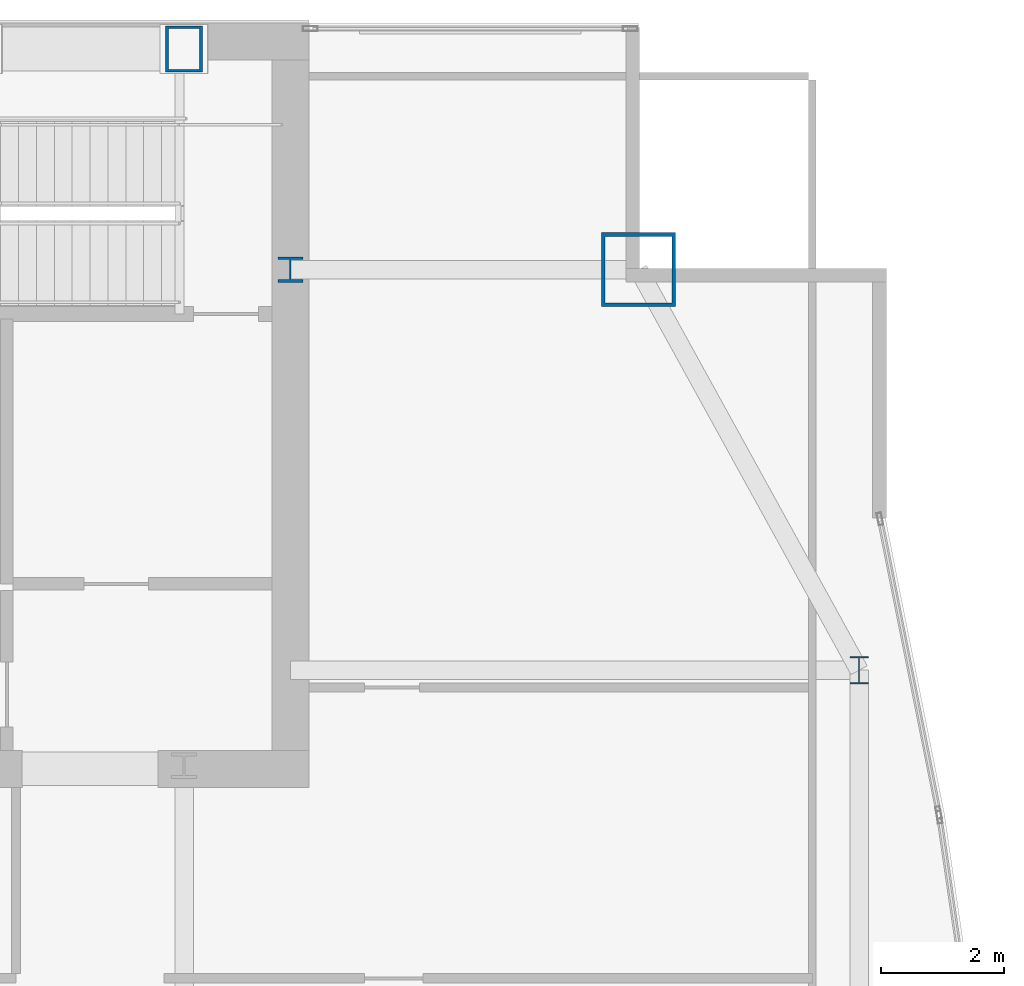
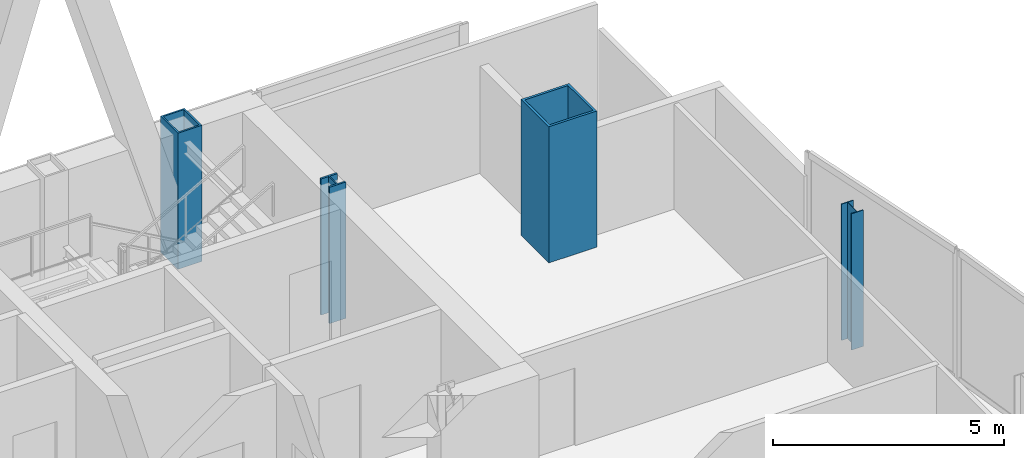
# One storey, part 4 of 32: 4 columns.
"""IFC4 building model written with IfcOpenShell, lengths in metres."""

from ifc_helpers import new_model, si_unit, direction, frame, origin, origin_2d, place, context, subcontext, project, spatial, hollow_rectangle, i_section, extrude, material, material_profile, profile_set, type_object, element, save


model = new_model("IFC4")

# Units and contexts
model_context = context("Model", 3, precision=1e-05, world=origin(), true_north=direction((0.0, 1.0)))
body_context = subcontext(model_context, "Body", "Model", "MODEL_VIEW")
ifc_project = project(units=[si_unit("LENGTHUNIT", "METRE"), si_unit("AREAUNIT", "SQUARE_METRE"), si_unit("VOLUMEUNIT", "CUBIC_METRE"), si_unit("PLANEANGLEUNIT", "RADIAN"), si_unit("MASSUNIT", "GRAM", prefix="KILO")], contexts=[model_context])

# Site, building, storey
site_placement = place(None, origin())
site = spatial("IfcSite", under=ifc_project, at=site_placement, CompositionType="ELEMENT")
building_placement = place(site_placement, origin())
building = spatial("IfcBuilding", under=site, at=building_placement, Name="Khoronbel Lancet Exchange", CompositionType="ELEMENT")
storey_placement = place(building_placement, frame((0.0, 0.0, 221.0)))
storey = spatial("IfcBuildingStorey", under=building, at=storey_placement, Name="L56", CompositionType="ELEMENT", Elevation=221.0)

# Columns
ifc_material_1 = material(Name="Steel S460", Category="steel")
ifc_material_profile_1 = material_profile(ifc_material_1, hollow_rectangle(XDim=0.60009765625, YDim=0.75, WallThickness=0.044921875, at=origin_2d()), Name="BOX 750x600x45")
ifc_profile_set_1 = profile_set([ifc_material_profile_1], Name="Steel S460")
column_type_1 = type_object("IfcColumnType", Name="COL-EC3", PredefinedType="COLUMN", material=ifc_profile_set_1)
column_1_placement = place(storey_placement, frame((54.675048828125, 53.280029296875, 0.0), z_axis=(0.0, 0.0, 1.0), x_axis=(1.0, 0.0, 0.0)))
element("IfcColumn", 1, at=column_1_placement, inside=storey, type_object=column_type_1, Name="Structural column NC-E2 L56", PredefinedType="COLUMN", context=body_context, shape_type="SweptSolid", body=[
    extrude(hollow_rectangle(XDim=0.60009765625, YDim=0.75, WallThickness=0.044921875, at=origin_2d()), origin(), (0.0, 0.0, 1.0), 3.60009765625),
])
ifc_material_2 = material(Name="Steel S355", Category="steel")
ifc_material_profile_2 = material_profile(ifc_material_2, i_section(OverallWidth=0.406005859375, OverallDepth=0.416015625, WebThickness=0.02978515625, FlangeThickness=0.048095703125, at=origin_2d()), Name="HD 400x382")
ifc_profile_set_2 = profile_set([ifc_material_profile_2], Name="Steel S355")
column_type_2 = type_object("IfcColumnType", Name="COL-IC3", PredefinedType="COLUMN", material=ifc_profile_set_2)
column_2_placement = place(storey_placement, frame((56.39990234375, 49.699951171875, 0.0), z_axis=(0.0, 0.0, 1.0), x_axis=(1.0, 0.0, 0.0)))
element("IfcColumn", 2, at=column_2_placement, inside=storey, type_object=column_type_2, Name="Core-flank plumb transfer column CFE L56", PredefinedType="COLUMN", context=body_context, shape_type="SweptSolid", body=[
    extrude(i_section(OverallWidth=0.406005859375, OverallDepth=0.416015625, WebThickness=0.02978515625, FlangeThickness=0.048095703125, at=origin_2d()), origin(), (0.0, 0.0, 1.0), 3.60009765625),
])
ifc_material_profile_3 = material_profile(ifc_material_2, i_section(OverallWidth=0.300048828125, OverallDepth=0.449951171875, WebThickness=0.013916015625, FlangeThickness=0.02587890625, at=origin_2d()), Name="HEB 450")
ifc_profile_set_3 = profile_set([ifc_material_profile_3], Name="Steel S355")
column_type_3 = type_object("IfcColumnType", Name="COL-LC2", PredefinedType="COLUMN", material=ifc_profile_set_3)
column_3_placement = place(storey_placement, frame((65.6298828125, 43.199951171875, 0.0), z_axis=(0.0, 0.0, 1.0), x_axis=(1.0, 0.0, 0.0)))
element("IfcColumn", 3, at=column_3_placement, inside=storey, type_object=column_type_3, Name="Structural column EC-4 L56", PredefinedType="COLUMN", context=body_context, shape_type="SweptSolid", body=[
    extrude(i_section(OverallWidth=0.300048828125, OverallDepth=0.449951171875, WebThickness=0.013916015625, FlangeThickness=0.02587890625, at=origin_2d()), origin(), (0.0, 0.0, 1.0), 3.60009765625),
])
ifc_material_profile_4 = material_profile(ifc_material_1, hollow_rectangle(XDim=1.199951171875, YDim=1.199951171875, WallThickness=0.06005859375, at=origin_2d()), Name="BOX 1200x1200x60")
ifc_profile_set_4 = profile_set([ifc_material_profile_4], Name="Steel S460")
column_type_4 = type_object("IfcColumnType", Name="COL-MC5", PredefinedType="COLUMN", material=ifc_profile_set_4)
column_4_placement = place(storey_placement, frame((62.050048828125, 49.699951171875, 0.0), z_axis=(0.0, 0.0, 1.0), x_axis=(1.0, 0.0, 0.0)))
element("IfcColumn", 4, at=column_4_placement, inside=storey, type_object=column_type_4, Name="Structural column MC-NE L56", PredefinedType="COLUMN", context=body_context, shape_type="SweptSolid", body=[
    extrude(hollow_rectangle(XDim=1.199951171875, YDim=1.199951171875, WallThickness=0.06005859375, at=origin_2d()), origin(), (0.0, 0.0, 1.0), 3.60009765625),
])

save(model, "model.ifc")
